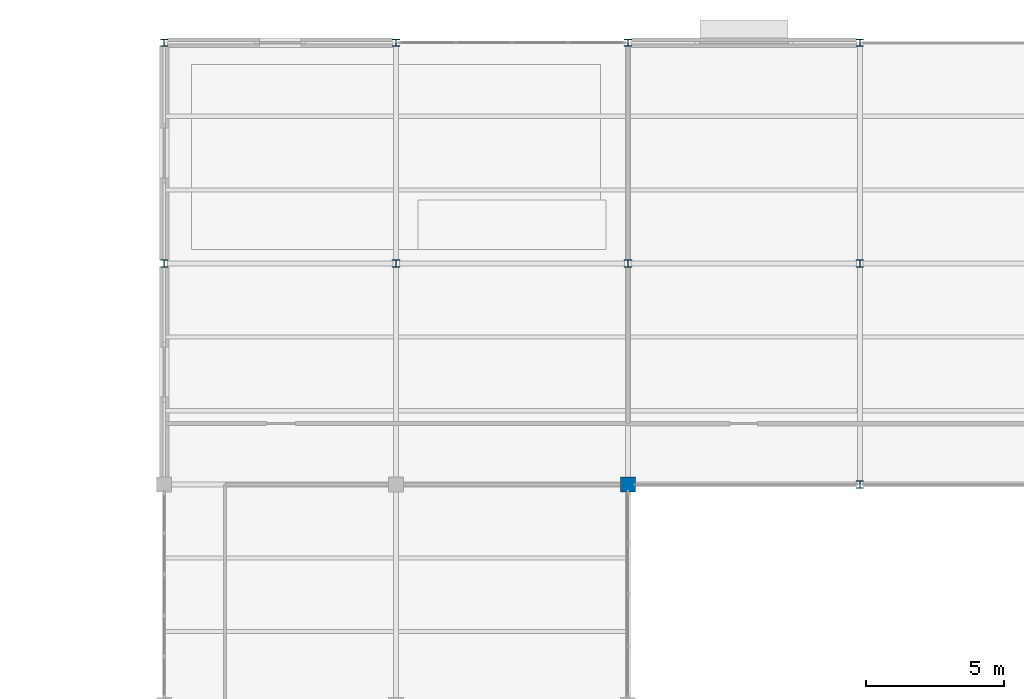
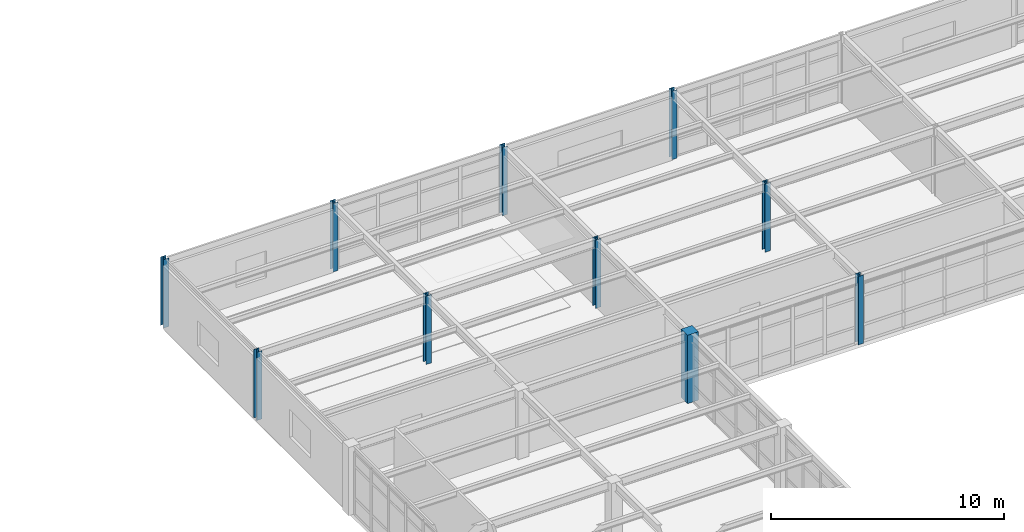
# One storey, part 6 of 53: 10 columns.
"""IFC4 building model written with IfcOpenShell, lengths in metres."""

from ifc_helpers import new_model, si_unit, direction, frame, origin, origin_2d, place, context, subcontext, project, spatial, rectangle, i_section, extrude, material, material_profile, profile_set, type_object, element, save


model = new_model("IFC4")

# Units and contexts
model_context = context("Model", 3, precision=1e-05, world=origin(), true_north=direction((0.0, 1.0)))
body_context = subcontext(model_context, "Body", "Model", "MODEL_VIEW")
ifc_project = project(units=[si_unit("LENGTHUNIT", "METRE"), si_unit("AREAUNIT", "SQUARE_METRE"), si_unit("VOLUMEUNIT", "CUBIC_METRE"), si_unit("PLANEANGLEUNIT", "RADIAN"), si_unit("MASSUNIT", "GRAM", prefix="KILO")], contexts=[model_context])

# Site, building, storey
site_placement = place(None, origin())
site = spatial("IfcSite", under=ifc_project, at=site_placement, CompositionType="ELEMENT")
building_placement = place(site_placement, origin())
building = spatial("IfcBuilding", under=site, at=building_placement, Name="Kranzveld Transit Interchange", CompositionType="ELEMENT")
storey_placement = place(building_placement, frame((0.0, 0.0, 13.360107421875)))
storey = spatial("IfcBuildingStorey", under=building, at=storey_placement, Name="L03", CompositionType="ELEMENT", Elevation=13.360107421875)

# Columns
ifc_material_1 = material(Name="Concrete C35/45", Category="concrete")
ifc_material_profile_1 = material_profile(ifc_material_1, rectangle(XDim=0.550048828125, YDim=0.550048828125, at=origin_2d()), Name="RC 550x550")
ifc_profile_set_1 = profile_set([ifc_material_profile_1], Name="Concrete C35/45")
column_type_1 = type_object("IfcColumnType", Name="Column RC 550x550 C35/45", PredefinedType="COLUMN", material=ifc_profile_set_1)
column_placement = place(storey_placement, frame((117.60009765625, 96.0, 0.0), z_axis=(0.0, 0.0, 1.0), x_axis=(1.0, 0.0, 0.0)))
element("IfcColumn", 1, at=column_placement, inside=storey, type_object=column_type_1, Name="L03 Column 15/N", PredefinedType="COLUMN", context=body_context, shape_type="SweptSolid", body=[
    extrude(rectangle(XDim=0.550048828125, YDim=0.550048828125, at=origin_2d()), origin(), (0.0, 0.0, 1.0), 3.579833984375),
])
ifc_material_2 = material(Name="Steel S355JR", Category="steel")
ifc_material_profile_2 = material_profile(ifc_material_2, i_section(OverallWidth=0.25634765625, OverallDepth=0.26025390625, WebThickness=0.01025390625, FlangeThickness=0.017333984375, FilletRadius=0.0126953125, at=origin_2d()), Name="UC 254x254x89")
ifc_profile_set_2 = profile_set([ifc_material_profile_2], Name="Steel S355JR")
column_type_2 = type_object("IfcColumnType", Name="Column Steel UC 254x254x89 S355JR", PredefinedType="COLUMN", material=ifc_profile_set_2)
for number, where, z_axis, x_axis, name in (
    (2, (100.800048828125, 104.0, 0.0), (0.0, 0.0, 1.0), (1.0, 0.0, 0.0), "L03 Column 13/P"),
    (3, (100.800048828125, 112.0, 0.0), (0.0, 0.0, 1.0), (1.0, 0.0, 0.0), "L03 Column 13/Q"),
    (4, (109.199951171875, 104.0, 0.0), (0.0, 0.0, 1.0), (1.0, 0.0, 0.0), "L03 Column 14/P"),
    (5, (109.199951171875, 112.0, 0.0), (0.0, 0.0, 1.0), (1.0, 0.0, 0.0), "L03 Column 14/Q"),
    (6, (117.60009765625, 104.0, 0.0), (0.0, 0.0, 1.0), (1.0, 0.0, 0.0), "L03 Column 15/P"),
    (7, (117.60009765625, 112.0, 0.0), (0.0, 0.0, 1.0), (1.0, 0.0, 0.0), "L03 Column 15/Q"),
    (8, (126.0, 96.0, 0.0), (0.0, 0.0, 1.0), (1.0, 0.0, 0.0), "L03 Column 16/N"),
    (9, (126.0, 104.0, 0.0), (0.0, 0.0, 1.0), (1.0, 0.0, 0.0), "L03 Column 16/P"),
    (10, (126.0, 112.0, 0.0), (0.0, 0.0, 1.0), (1.0, 0.0, 0.0), "L03 Column 16/Q"),
):
    element("IfcColumn", number, at=place(storey_placement, frame(where, z_axis=z_axis, x_axis=x_axis)), inside=storey, type_object=column_type_2, Name=name, PredefinedType="COLUMN", context=body_context, shape_type="SweptSolid", body=[
        extrude(i_section(OverallWidth=0.25634765625, OverallDepth=0.26025390625, WebThickness=0.01025390625, FlangeThickness=0.017333984375, FilletRadius=0.0126953125, at=origin_2d()), origin(), (0.0, 0.0, 1.0), 3.579833984375),
    ])

save(model, "model.ifc")
